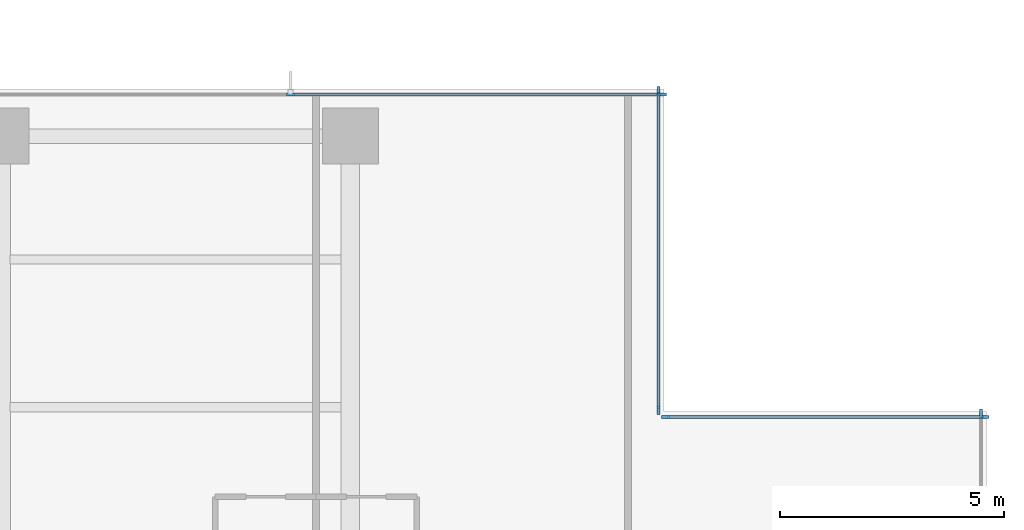
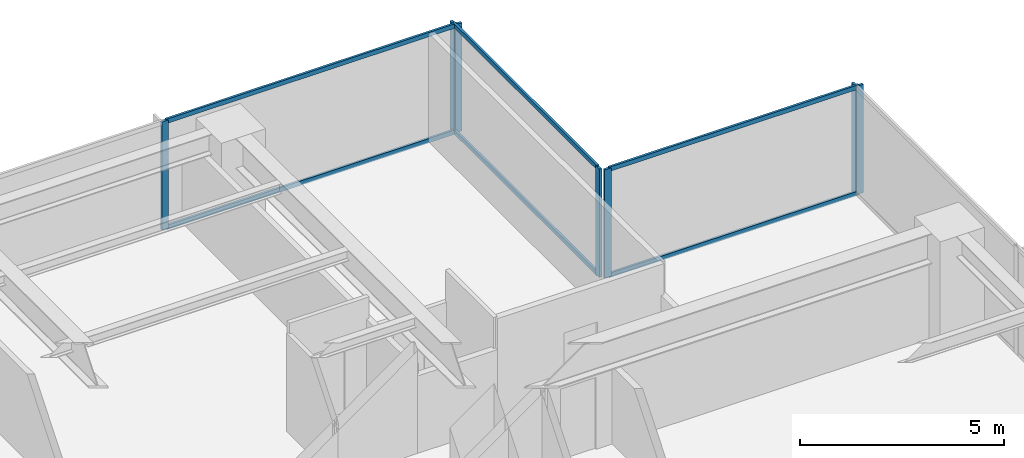
# One storey, part 6 of 17: 13 members, 4 elements without a shape of their own.
"""IFC4 building model written with IfcOpenShell, lengths in metres."""

import ifcopenshell
import ifcopenshell.guid

model = None  # the IFC model being written
_history = None  # IfcOwnerHistory: only IFC2X3 demands one
_inside = {}  # id of a spatial element -> (the spatial element, [elements in it])
_under = {}  # id of a project, library or spatial element -> (it, [spatial elements below it])
_declared = {}  # id of a project -> (the project, [libraries it declares])
_typed = {}  # id of a type object -> (the type object, [elements of that type])
_made_of = {}  # id of a material, layer set ... -> (it, [elements and type objects made of it])


def new_model(schema):
    """Start an empty IFC model of exactly this schema.

    Asked for "IFC4X3", IfcOpenShell would pick the latest addendum, in which some entities
    have other attributes; the version numbers below select the first issue.
    IFC2X3 requires an IfcOwnerHistory on every rooted entity: one is made here for all.
    """
    global model, _history
    if schema == "IFC4X3":
        model = ifcopenshell.file(schema_version=(4, 3, 0, 0))
    else:
        model = ifcopenshell.file(schema=schema)
    _inside.clear()
    _under.clear()
    _declared.clear()
    _typed.clear()
    _made_of.clear()
    _history = None
    if model.schema == "IFC2X3":
        org = make("IfcOrganization", Name="unknown")
        user = make(
            "IfcPersonAndOrganization",
            ThePerson=make("IfcPerson", FamilyName="unknown"),
            TheOrganization=org,
        )
        app = make(
            "IfcApplication",
            ApplicationDeveloper=org,
            Version="unknown",
            ApplicationFullName="unknown",
            ApplicationIdentifier="unknown",
        )
        _history = make(
            "IfcOwnerHistory",
            OwningUser=user,
            OwningApplication=app,
            ChangeAction="ADDED",
            CreationDate=0,
        )
    return model


def make(cls, **values):
    """One entity of the class cls with the attributes given. An attribute that is None is left unset."""
    return model.create_entity(
        cls, **{name: value for name, value in values.items() if value is not None}
    )


def rooted(cls, **values):
    """An entity with a GlobalId (a new one), such as an element, a storey or a relation."""
    return make(cls, GlobalId=ifcopenshell.guid.new(), OwnerHistory=_history, **values)


def si_unit(unit_type, name, prefix=None):
    """IfcSIUnit, for example si_unit("LENGTHUNIT", "METRE", prefix="MILLI")."""
    return make("IfcSIUnit", UnitType=unit_type, Prefix=prefix, Name=name)


def assignment(units):
    """IfcUnitAssignment: the units of a project."""
    return None if units is None else make("IfcUnitAssignment", Units=units)


def point(xyz):
    """IfcCartesianPoint."""
    return None if xyz is None else make("IfcCartesianPoint", Coordinates=xyz)


def direction(xyz):
    """IfcDirection."""
    return None if xyz is None else make("IfcDirection", DirectionRatios=xyz)


def frame(location, z_axis=None, x_axis=None):
    """IfcAxis2Placement3D, a coordinate frame: its origin and axes. An axis left out is left unset."""
    return make(
        "IfcAxis2Placement3D",
        Location=point(location),
        Axis=direction(z_axis),
        RefDirection=direction(x_axis),
    )


def frame_2d(location, x_axis=None):
    """IfcAxis2Placement2D, a coordinate frame in the plane: its origin and x axis."""
    return make(
        "IfcAxis2Placement2D", Location=point(location), RefDirection=direction(x_axis)
    )


def origin():
    """The frame at (0, 0, 0) with its axes left unset."""
    return frame((0.0, 0.0, 0.0))


def origin_2d():
    """The frame at (0, 0) in the plane with its x axis left unset."""
    return frame_2d((0.0, 0.0))


def place(relative_to, where):
    """IfcLocalPlacement: puts the frame where relative to a parent placement (None: the world)."""
    return make(
        "IfcLocalPlacement", PlacementRelTo=relative_to, RelativePlacement=where
    )


def context(
    kind, dimensions, precision=None, world=None, true_north=None, identifier=None
):
    """IfcGeometricRepresentationContext, for example the 3D "Model" context."""
    return make(
        "IfcGeometricRepresentationContext",
        ContextIdentifier=identifier,
        ContextType=kind,
        CoordinateSpaceDimension=dimensions,
        Precision=precision,
        WorldCoordinateSystem=world,
        TrueNorth=true_north,
    )


def subcontext(parent, identifier, kind, view, scale=None):
    """IfcGeometricRepresentationSubContext, for example "Body" below "Model"."""
    return make(
        "IfcGeometricRepresentationSubContext",
        ContextIdentifier=identifier,
        ContextType=kind,
        ParentContext=parent,
        TargetScale=scale,
        TargetView=view,
    )


def project(units=None, contexts=None):
    """IfcProject with its units and contexts."""
    return rooted(
        "IfcProject",
        Name="project",
        RepresentationContexts=contexts,
        UnitsInContext=assignment(units),
    )


def spatial(cls, under=None, at=None, **own):
    """A site, building, storey or space (cls), placed at a placement, below another one or the project."""
    s = rooted(cls, ObjectPlacement=at, **own)
    if under is not None:
        _under.setdefault(under.id(), (under, []))[1].append(s)
    return s


def profile(cls, at=None, kind="AREA", **sizes):
    """A parametric profile (cls). Its sizes go by their IFC names, for example OverallWidth=200.0."""
    return make(cls, ProfileType=kind, Position=at, **sizes)


def rectangle(**sizes):
    """IfcRectangleProfileDef."""
    return profile("IfcRectangleProfileDef", **sizes)


def extrude(swept, where, along, depth):
    """IfcExtrudedAreaSolid: the profile swept, set in the frame where, extruded along a direction by depth."""
    return make(
        "IfcExtrudedAreaSolid",
        SweptArea=swept,
        Position=where,
        ExtrudedDirection=direction(along),
        Depth=depth,
    )


def shape(context_of_items, identifier, shape_type, items):
    """IfcShapeRepresentation: the items that make up one representation, for example the "Body"."""
    return make(
        "IfcShapeRepresentation",
        ContextOfItems=context_of_items,
        RepresentationIdentifier=identifier,
        RepresentationType=shape_type,
        Items=items,
    )


def material(Name=None, Category=None):
    """IfcMaterial."""
    return make("IfcMaterial", Name=Name, Category=Category)


def layer(
    of_material, thickness, ventilated=None, Name=None, Category=None, Priority=None
):
    """IfcMaterialLayer: one layer of a wall or slab, of a material (None: an air gap)."""
    return make(
        "IfcMaterialLayer",
        Material=of_material,
        LayerThickness=thickness,
        IsVentilated=ventilated,
        Name=Name,
        Category=Category,
        Priority=Priority,
    )


def layer_set(layers, Name=None):
    """IfcMaterialLayerSet."""
    return make("IfcMaterialLayerSet", MaterialLayers=layers, LayerSetName=Name)


def material_profile(
    of_material, cross_section, Name=None, Category=None, Priority=None
):
    """IfcMaterialProfile: a cross section and its material."""
    return make(
        "IfcMaterialProfile",
        Name=Name,
        Material=of_material,
        Profile=cross_section,
        Priority=Priority,
        Category=Category,
    )


def profile_set(profiles, Name=None, composite=None):
    """IfcMaterialProfileSet."""
    return make(
        "IfcMaterialProfileSet",
        Name=Name,
        MaterialProfiles=profiles,
        CompositeProfile=composite,
    )


def made_of(thing, what):
    """Note that an element or type object is made of a material, layer set ...; save() writes the relation."""
    if what is not None:
        _made_of.setdefault(what.id(), (what, []))[1].append(thing)
    return thing


def type_object(cls, material=None, **own):
    """A type object (cls), such as IfcWallType, which elements share."""
    return made_of(rooted(cls, **own), material)


def element(
    cls,
    number,
    at=None,
    inside=None,
    cuts=None,
    type_object=None,
    material=None,
    context=None,
    identifier="Body",
    shape_type=None,
    held_by="IfcProductDefinitionShape",
    body=None,
    shapes=None,
    **own,
):
    """One element of the class cls, such as IfcWall. Its Tag is "e" and its number.

    at: its placement. inside: the storey or other place that contains it. cuts: it is an
    opening in that element (IfcRelVoidsElement). A single representation is given by context,
    identifier, shape_type and body (its items); several are given by shapes. held_by: the class
    of the entity that holds the representations. save() writes the other relations.
    """
    e = rooted(cls, Tag="e%d" % number, ObjectPlacement=at, **own)
    if body is not None:
        shapes = [shape(context, identifier, shape_type, body)]
    if shapes is not None:
        e.Representation = make(held_by, Representations=shapes)
    if inside is not None:
        _inside.setdefault(inside.id(), (inside, []))[1].append(e)
    if cuts is not None:
        rooted(
            "IfcRelVoidsElement", RelatingBuildingElement=cuts, RelatedOpeningElement=e
        )
    if type_object is not None:
        _typed.setdefault(type_object.id(), (type_object, []))[1].append(e)
    return made_of(e, material)


def aggregate(whole, parts):
    """IfcRelAggregates: a whole, such as a stair, and the parts it consists of."""
    return rooted("IfcRelAggregates", RelatingObject=whole, RelatedObjects=parts)


def save(model, path):
    """Write the relations noted so far, then the file.

    IfcRelAggregates (storeys below a building ...), IfcRelContainedInSpatialStructure (elements
    in a storey), IfcRelDefinesByType, IfcRelAssociatesMaterial and IfcRelDeclares: one each for
    every whole, place, type object, material and project.
    """
    for whole, parts in _under.values():
        aggregate(whole, parts)
    for where, things in _inside.values():
        rooted(
            "IfcRelContainedInSpatialStructure",
            RelatedElements=things,
            RelatingStructure=where,
        )
    for kind, things in _typed.values():
        rooted("IfcRelDefinesByType", RelatedObjects=things, RelatingType=kind)
    for what, things in _made_of.values():
        rooted("IfcRelAssociatesMaterial", RelatedObjects=things, RelatingMaterial=what)
    for by, libraries in _declared.values():
        rooted("IfcRelDeclares", RelatingContext=by, RelatedDefinitions=libraries)
    model.write(path)


model = new_model("IFC4")

# Units and contexts
model_context = context("Model", 3, precision=1e-05, world=origin(), true_north=direction((0.0, 1.0)))
body_context = subcontext(model_context, "Body", "Model", "MODEL_VIEW")
ifc_project = project(units=[si_unit("LENGTHUNIT", "METRE"), si_unit("AREAUNIT", "SQUARE_METRE"), si_unit("VOLUMEUNIT", "CUBIC_METRE"), si_unit("PLANEANGLEUNIT", "RADIAN"), si_unit("MASSUNIT", "GRAM", prefix="KILO")], contexts=[model_context])

# Site, building, storey
site_placement = place(None, origin())
site = spatial("IfcSite", under=ifc_project, at=site_placement, CompositionType="ELEMENT")
building_placement = place(site_placement, origin())
building = spatial("IfcBuilding", under=site, at=building_placement, Name="Qalmaran Belvedere Hotel", CompositionType="ELEMENT")
storey_placement = place(building_placement, frame((0.0, 0.0, 91.699951171875)))
storey = spatial("IfcBuildingStorey", under=building, at=storey_placement, Name="L22", CompositionType="ELEMENT", Elevation=91.699951171875)

# Curtain wall, member
ifc_material = material(Name="Anodised Bronze Aluminium", Category="aluminium")
ifc_layer = layer(ifc_material, 0.199951171875, Name="Anodised Bronze Aluminium")
ifc_layer_set = layer_set([ifc_layer], Name="Anodised Bronze Aluminium")
curtain_wall_type = type_object("IfcCurtainWallType", Name="CW3-TOWER-LOWMID", PredefinedType="NOTDEFINED", material=ifc_layer_set)
curtain_wall_1_placement = place(storey_placement, origin())
curtain_wall_1 = element("IfcCurtainWall", 1, at=curtain_wall_1_placement, inside=storey, type_object=curtain_wall_type, Name="L22 Curtain Wall CW3", PredefinedType="NOTDEFINED")
ifc_material_profile_1 = material_profile(ifc_material, rectangle(XDim=0.070068359375, YDim=0.18994140625, at=origin_2d()), Name="CWM70X190")
ifc_profile_set_1 = profile_set([ifc_material_profile_1], Name="Anodised Bronze Aluminium")
member_type_1 = type_object("IfcMemberType", Name="CWM-70X190", PredefinedType="MULLION", material=ifc_profile_set_1)
member_1_placement = place(storey_placement, frame((58.8798828125, 39.264892578125, 0.0), z_axis=(0.0, 0.0, 1.0), x_axis=(-1.0, 0.0, 0.0)))
member_1 = element("IfcMember", 2, at=member_1_placement, type_object=member_type_1, Name="CW3 mullion 5", PredefinedType="MULLION", context=body_context, shape_type="SweptSolid", body=[
    extrude(rectangle(XDim=0.070068359375, YDim=0.18994140625, at=origin_2d()), origin(), (0.0, 0.0, 1.0), 3.239990234375),
])
aggregate(curtain_wall_1, [member_1])

# Curtain wall, members
curtain_wall_2_placement = place(storey_placement, origin())
curtain_wall_2 = element("IfcCurtainWall", 3, at=curtain_wall_2_placement, inside=storey, type_object=curtain_wall_type, Name="L22 Curtain Wall CW3", PredefinedType="NOTDEFINED")
member_2_placement = place(storey_placement, frame((58.965087890625, 39.179931640625, 0.0), z_axis=(0.0, 0.0, 1.0), x_axis=(0.0, -1.0, 0.0)))
member_2 = element("IfcMember", 4, at=member_2_placement, type_object=member_type_1, Name="CW3 mullion 1", PredefinedType="MULLION", context=body_context, shape_type="SweptSolid", body=[
    extrude(rectangle(XDim=0.070068359375, YDim=0.18994140625, at=origin_2d()), origin(), (0.0, 0.0, 1.0), 3.239990234375),
])
member_3_placement = place(storey_placement, frame((51.8349609375, 39.179931640625, 0.0), z_axis=(0.0, 0.0, 1.0), x_axis=(0.0, -1.0, 0.0)))
member_3 = element("IfcMember", 5, at=member_3_placement, type_object=member_type_1, Name="CW3 mullion 2", PredefinedType="MULLION", context=body_context, shape_type="SweptSolid", body=[
    extrude(rectangle(XDim=0.070068359375, YDim=0.18994140625, at=origin_2d()), origin(), (0.0, 0.0, 1.0), 3.239990234375),
])

curtain_wall_3_placement = place(storey_placement, origin())
curtain_wall_3 = element("IfcCurtainWall", 6, at=curtain_wall_3_placement, inside=storey, type_object=curtain_wall_type, Name="L22 Curtain Wall CW3", PredefinedType="NOTDEFINED")
member_4_placement = place(storey_placement, frame((51.679931640625, 39.3349609375, 0.0), z_axis=(0.0, 0.0, 1.0), x_axis=(-1.0, 0.0, 0.0)))
member_4 = element("IfcMember", 7, at=member_4_placement, type_object=member_type_1, Name="CW3 mullion 1", PredefinedType="MULLION", context=body_context, shape_type="SweptSolid", body=[
    extrude(rectangle(XDim=0.070068359375, YDim=0.18994140625, at=origin_2d()), origin(), (0.0, 0.0, 1.0), 3.239990234375),
])
member_5_placement = place(storey_placement, frame((51.679931640625, 46.465087890625, 0.0), z_axis=(0.0, 0.0, 1.0), x_axis=(-1.0, 0.0, 0.0)))
member_5 = element("IfcMember", 8, at=member_5_placement, type_object=member_type_1, Name="CW3 mullion 2", PredefinedType="MULLION", context=body_context, shape_type="SweptSolid", body=[
    extrude(rectangle(XDim=0.070068359375, YDim=0.18994140625, at=origin_2d()), origin(), (0.0, 0.0, 1.0), 3.239990234375),
])

curtain_wall_4_placement = place(storey_placement, origin())
curtain_wall_4 = element("IfcCurtainWall", 9, at=curtain_wall_4_placement, inside=storey, type_object=curtain_wall_type, Name="L22 Curtain Wall CW3", PredefinedType="NOTDEFINED")
member_6_placement = place(storey_placement, frame((51.764892578125, 46.3798828125, 0.0), z_axis=(0.0, 0.0, 1.0), x_axis=(0.0, -1.0, 0.0)))
member_6 = element("IfcMember", 10, at=member_6_placement, type_object=member_type_1, Name="CW3 mullion 1", PredefinedType="MULLION", context=body_context, shape_type="SweptSolid", body=[
    extrude(rectangle(XDim=0.070068359375, YDim=0.18994140625, at=origin_2d()), origin(), (0.0, 0.0, 1.0), 3.239990234375),
])
member_7_placement = place(storey_placement, frame((43.466552734375, 46.3798828125, 0.0), z_axis=(0.0, 0.0, 1.0), x_axis=(0.0, -1.0, 0.0)))
member_7 = element("IfcMember", 11, at=member_7_placement, type_object=member_type_1, Name="CW3 mullion 2", PredefinedType="MULLION", context=body_context, shape_type="SweptSolid", body=[
    extrude(rectangle(XDim=0.070068359375, YDim=0.18994140625, at=origin_2d()), origin(), (0.0, 0.0, 1.0), 3.239990234375),
])

# Member
ifc_material_profile_2 = material_profile(ifc_material, rectangle(XDim=0.06494140625, YDim=0.1298828125, at=origin_2d()), Name="CWT65X130")
ifc_profile_set_2 = profile_set([ifc_material_profile_2], Name="Anodised Bronze Aluminium")
member_type_2 = type_object("IfcMemberType", Name="CWT-65X130", PredefinedType="USERDEFINED", material=ifc_profile_set_2)
member_8_placement = place(storey_placement, frame((58.929931640625, 39.179931640625, 0.032470703125), z_axis=(-1.0, 0.0, 0.0), x_axis=(0.0, -1.0, 0.0)))
member_8 = element("IfcMember", 12, at=member_8_placement, type_object=member_type_2, Name="CW3 transom 1.1", ObjectType="TRANSOM", PredefinedType="USERDEFINED", context=body_context, shape_type="SweptSolid", body=[
    extrude(rectangle(XDim=0.06494140625, YDim=0.1298828125, at=origin_2d()), origin(), (0.0, 0.0, 1.0), 7.059814453125),
])

member_9_placement = place(storey_placement, frame((58.929931640625, 39.179931640625, 3.20751953125), z_axis=(-1.0, 0.0, 0.0), x_axis=(0.0, -1.0, 0.0)))
member_9 = element("IfcMember", 13, at=member_9_placement, type_object=member_type_2, Name="CW3 transom 1.2", ObjectType="TRANSOM", PredefinedType="USERDEFINED", context=body_context, shape_type="SweptSolid", body=[
    extrude(rectangle(XDim=0.06494140625, YDim=0.1298828125, at=origin_2d()), origin(), (0.0, 0.0, 1.0), 7.059814453125),
])

aggregate(curtain_wall_2, [member_2, member_3, member_8, member_9])

member_10_placement = place(storey_placement, frame((51.679931640625, 39.3701171875, 0.032470703125), z_axis=(0.0, 1.0, 0.0), x_axis=(-1.0, 0.0, 0.0)))
member_10 = element("IfcMember", 14, at=member_10_placement, type_object=member_type_2, Name="CW3 transom 1.1", ObjectType="TRANSOM", PredefinedType="USERDEFINED", context=body_context, shape_type="SweptSolid", body=[
    extrude(rectangle(XDim=0.06494140625, YDim=0.1298828125, at=origin_2d()), origin(), (0.0, 0.0, 1.0), 7.059814453125),
])

member_11_placement = place(storey_placement, frame((51.679931640625, 39.3701171875, 3.20751953125), z_axis=(0.0, 1.0, 0.0), x_axis=(-1.0, 0.0, 0.0)))
member_11 = element("IfcMember", 15, at=member_11_placement, type_object=member_type_2, Name="CW3 transom 1.2", ObjectType="TRANSOM", PredefinedType="USERDEFINED", context=body_context, shape_type="SweptSolid", body=[
    extrude(rectangle(XDim=0.06494140625, YDim=0.1298828125, at=origin_2d()), origin(), (0.0, 0.0, 1.0), 7.059814453125),
])

aggregate(curtain_wall_3, [member_4, member_5, member_10, member_11])

member_12_placement = place(storey_placement, frame((51.72998046875, 46.3798828125, 0.032470703125), z_axis=(-1.0, 0.0, 0.0), x_axis=(0.0, -1.0, 0.0)))
member_12 = element("IfcMember", 16, at=member_12_placement, type_object=member_type_2, Name="CW3 transom 1.1", ObjectType="TRANSOM", PredefinedType="USERDEFINED", context=body_context, shape_type="SweptSolid", body=[
    extrude(rectangle(XDim=0.06494140625, YDim=0.1298828125, at=origin_2d()), origin(), (0.0, 0.0, 1.0), 8.228271484375),
])

member_13_placement = place(storey_placement, frame((51.72998046875, 46.3798828125, 3.20751953125), z_axis=(-1.0, 0.0, 0.0), x_axis=(0.0, -1.0, 0.0)))
member_13 = element("IfcMember", 17, at=member_13_placement, type_object=member_type_2, Name="CW3 transom 1.2", ObjectType="TRANSOM", PredefinedType="USERDEFINED", context=body_context, shape_type="SweptSolid", body=[
    extrude(rectangle(XDim=0.06494140625, YDim=0.1298828125, at=origin_2d()), origin(), (0.0, 0.0, 1.0), 8.228271484375),
])

aggregate(curtain_wall_4, [member_6, member_7, member_12, member_13])

save(model, "model.ifc")
